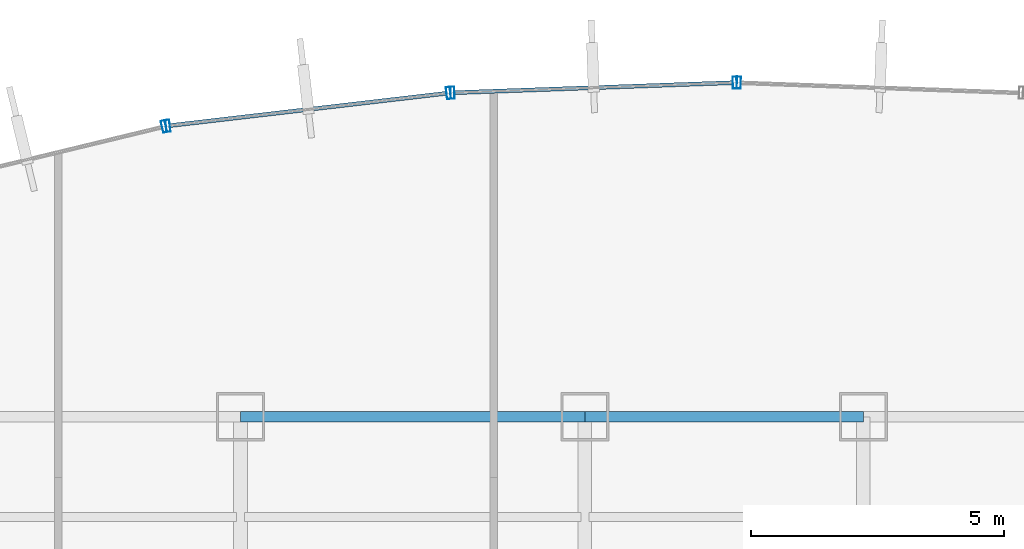
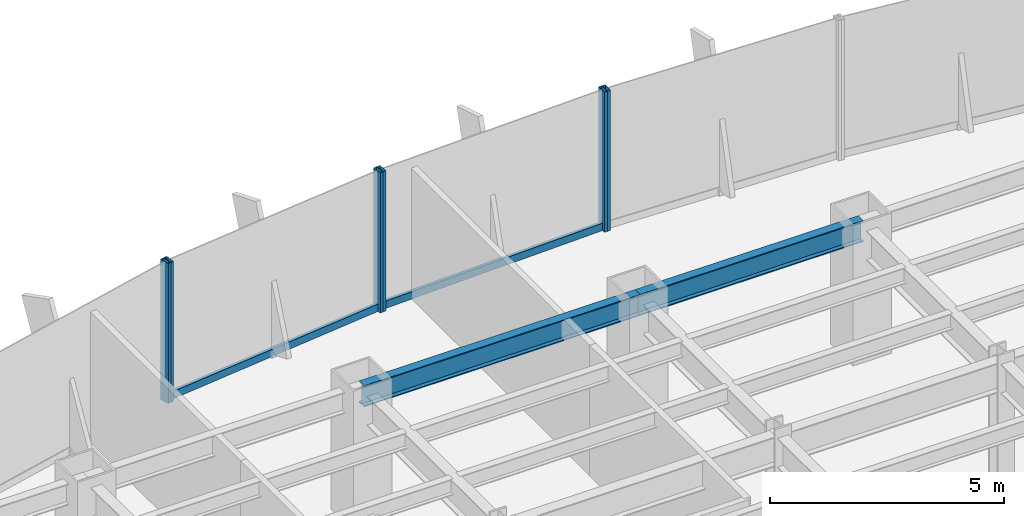
# One storey, part 12 of 22: 8 members, 2 beams, 4 elements without a shape of their own.
"""IFC4 building model written with IfcOpenShell, lengths in metres."""

from ifc_helpers import new_model, si_unit, derived_unit, direction, frame, origin, origin_2d, place, context, subcontext, project, spatial, hollow_rectangle, i_section, extrude, source, transform, mapped, material, material_profile, profile_set, type_object, element, aggregate, save


model = new_model("IFC4")

# Units and contexts
model_context = context("Model", 3, precision=1e-05, world=origin(), true_north=direction((0.0, 1.0)))
body_context = subcontext(model_context, "Body", "Model", "MODEL_VIEW")
ifc_project = project(units=[si_unit("LENGTHUNIT", "METRE"), si_unit("AREAUNIT", "SQUARE_METRE"), si_unit("VOLUMEUNIT", "CUBIC_METRE"), si_unit("PLANEANGLEUNIT", "RADIAN"), si_unit("MASSUNIT", "GRAM", prefix="KILO"), derived_unit("THERMALTRANSMITTANCEUNIT", [(si_unit("POWERUNIT", "WATT"), 1), (si_unit("LENGTHUNIT", "METRE"), -2), (si_unit("THERMODYNAMICTEMPERATUREUNIT", "KELVIN"), -1)])], contexts=[model_context])

# Site, building, storey
site_placement = place(None, origin())
site = spatial("IfcSite", under=ifc_project, at=site_placement, CompositionType="ELEMENT")
building_placement = place(site_placement, origin())
building = spatial("IfcBuilding", under=site, at=building_placement, Name="Skarnbrae Concourse Arena and Tower", CompositionType="ELEMENT")
storey_placement = place(building_placement, frame((0.0, 0.0, 39.800048828125)))
storey = spatial("IfcBuildingStorey", under=building, at=storey_placement, Name="L08", CompositionType="ELEMENT", Elevation=39.800048828125)

# Beams
ifc_material_1 = material(Name="Steel CSA G40.21 350W", Category="steel")
ifc_material_profile_1 = material_profile(ifc_material_1, i_section(OverallWidth=0.214111328125, OverallDepth=0.549072265625, WebThickness=0.0146484375, FlangeThickness=0.023681640625, at=origin_2d()), Name="W530X138")
ifc_profile_set_1 = profile_set([ifc_material_profile_1], Name="Steel CSA G40.21 350W")
beam_type = type_object("IfcBeamType", Name="BM-SPAN-W530X138", PredefinedType="SPANDREL", material=ifc_profile_set_1)
shared_shape_1 = source(origin(), body_context, "Body", "SweptSolid", [
    extrude(i_section(OverallWidth=0.214111328125, OverallDepth=0.549072265625, WebThickness=0.0146484375, FlangeThickness=0.023681640625, at=origin_2d()), origin(), (0.0, 0.0, 1.0), 6.800048828125),
])
beam_1_placement = place(storey_placement, frame((21.199951171875, 40.39990234375, 3.12548828125), z_axis=(1.0, 0.0, 0.0), x_axis=(0.0, 1.0, 0.0)))
element("IfcBeam", 1, at=beam_1_placement, inside=storey, type_object=beam_type, Name="L08 Perimeter spandrel Y40.4-3", PredefinedType="SPANDREL", context=body_context, shape_type="MappedRepresentation", body=[
    mapped(shared_shape_1, transform((0.0, 0.0, 0.0))),
])
shared_shape_2 = source(origin(), body_context, "Body", "SweptSolid", [
    extrude(i_section(OverallWidth=0.214111328125, OverallDepth=0.549072265625, WebThickness=0.0146484375, FlangeThickness=0.023681640625, at=origin_2d()), origin(), (0.0, 0.0, 1.0), 5.5),
])
beam_2_placement = place(storey_placement, frame((28.0, 40.39990234375, 3.12548828125), z_axis=(1.0, 0.0, 0.0), x_axis=(0.0, 1.0, 0.0)))
element("IfcBeam", 2, at=beam_2_placement, inside=storey, type_object=beam_type, Name="L08 Perimeter spandrel Y40.4-4", PredefinedType="SPANDREL", context=body_context, shape_type="MappedRepresentation", body=[
    mapped(shared_shape_2, transform((0.0, 0.0, 0.0))),
])

# Curtain wall, member
ifc_material_2 = material(Name="Bronze anodised aluminium 6063-T6", Category="aluminium")
curtain_wall_type = type_object("IfcCurtainWallType", Name="CW-SYS-02-LOWZONE", PredefinedType="USERDEFINED", material=ifc_material_2)
curtain_wall_1_placement = place(storey_placement, origin())
curtain_wall_1 = element("IfcCurtainWall", 3, at=curtain_wall_1_placement, inside=storey, type_object=curtain_wall_type, Name="L08 Unitised curtain wall CW-L08-E11", ObjectType="UNITISED CURTAIN WALL", PredefinedType="USERDEFINED")
ifc_material_profile_2 = material_profile(ifc_material_2, hollow_rectangle(XDim=0.080078125, YDim=0.239990234375, WallThickness=0.0048828125, at=origin_2d()), Name="ALU-MULL-80X240")
ifc_profile_set_2 = profile_set([ifc_material_profile_2], Name="Bronze anodised aluminium 6063-T6")
member_type_1 = type_object("IfcMemberType", Name="CWM-CW-02", PredefinedType="MULLION", material=ifc_profile_set_2)
shared_shape_3 = source(origin(), body_context, "Body", "SweptSolid", [
    extrude(hollow_rectangle(XDim=0.080078125, YDim=0.239990234375, WallThickness=0.0048828125, at=origin_2d()), origin(), (0.0, 0.0, 1.0), 3.64990234375),
])
member_1_placement = place(storey_placement, frame((31.0400390625, 46.99853515625, 0.0), z_axis=(0.0, 0.0, 1.0), x_axis=(-0.999355425188, 0.035898943527, 0.0)))
member_1 = element("IfcMember", 4, at=member_1_placement, type_object=member_type_1, Name="CW-L08-E11 Mullion 2", PredefinedType="MULLION", context=body_context, shape_type="MappedRepresentation", body=[
    mapped(shared_shape_3, transform((0.0, 0.0, 0.0))),
])
aggregate(curtain_wall_1, [member_1])

# Curtain wall, members
curtain_wall_2_placement = place(storey_placement, origin())
curtain_wall_2 = element("IfcCurtainWall", 5, at=curtain_wall_2_placement, inside=storey, type_object=curtain_wall_type, Name="L08 Unitised curtain wall CW-L08-E12", ObjectType="UNITISED CURTAIN WALL", PredefinedType="USERDEFINED")
member_2_placement = place(storey_placement, frame((30.9599609375, 46.99853515625, 0.0), z_axis=(0.0, 0.0, 1.0), x_axis=(-0.999355425188, -0.035898943527, 0.0)))
member_2 = element("IfcMember", 6, at=member_2_placement, type_object=member_type_1, Name="CW-L08-E12 Mullion 1", PredefinedType="MULLION", context=body_context, shape_type="MappedRepresentation", body=[
    mapped(shared_shape_3, transform((0.0, 0.0, 0.0))),
])
member_3_placement = place(storey_placement, frame((25.385986328125, 46.79833984375, 0.0), z_axis=(0.0, 0.0, 1.0), x_axis=(-0.999355425188, -0.035898943527, 0.0)))
member_3 = element("IfcMember", 7, at=member_3_placement, type_object=member_type_1, Name="CW-L08-E12 Mullion 2", PredefinedType="MULLION", context=body_context, shape_type="MappedRepresentation", body=[
    mapped(shared_shape_3, transform((0.0, 0.0, 0.0))),
])

curtain_wall_3_placement = place(storey_placement, origin())
curtain_wall_3 = element("IfcCurtainWall", 8, at=curtain_wall_3_placement, inside=storey, type_object=curtain_wall_type, Name="L08 Unitised curtain wall CW-L08-E13", ObjectType="UNITISED CURTAIN WALL", PredefinedType="USERDEFINED")
member_4_placement = place(storey_placement, frame((25.306396484375, 46.792236328125, 0.0), z_axis=(0.0, 0.0, 1.0), x_axis=(-0.99324457001, -0.116039752435, 0.0)))
member_4 = element("IfcMember", 9, at=member_4_placement, type_object=member_type_1, Name="CW-L08-E13 Mullion 1", PredefinedType="MULLION", context=body_context, shape_type="MappedRepresentation", body=[
    mapped(shared_shape_3, transform((0.0, 0.0, 0.0))),
])
member_5_placement = place(storey_placement, frame((19.767333984375, 46.14501953125, 0.0), z_axis=(0.0, 0.0, 1.0), x_axis=(-0.99324457001, -0.116039752435, 0.0)))
member_5 = element("IfcMember", 10, at=member_5_placement, type_object=member_type_1, Name="CW-L08-E13 Mullion 2", PredefinedType="MULLION", context=body_context, shape_type="MappedRepresentation", body=[
    mapped(shared_shape_3, transform((0.0, 0.0, 0.0))),
])

# Curtain wall, member
curtain_wall_4_placement = place(storey_placement, origin())
curtain_wall_4 = element("IfcCurtainWall", 11, at=curtain_wall_4_placement, inside=storey, type_object=curtain_wall_type, Name="L08 Unitised curtain wall CW-L08-E14", ObjectType="UNITISED CURTAIN WALL", PredefinedType="USERDEFINED")
member_6_placement = place(storey_placement, frame((19.688720703125, 46.131103515625, 0.0), z_axis=(0.0, 0.0, 1.0), x_axis=(-0.971973721569, -0.235089524607, 0.0)))
member_6 = element("IfcMember", 12, at=member_6_placement, type_object=member_type_1, Name="CW-L08-E14 Mullion 1", PredefinedType="MULLION", context=body_context, shape_type="MappedRepresentation", body=[
    mapped(shared_shape_3, transform((0.0, 0.0, 0.0))),
])
aggregate(curtain_wall_4, [member_6])

# Member
ifc_material_profile_3 = material_profile(ifc_material_2, hollow_rectangle(XDim=0.080078125, YDim=0.18994140625, WallThickness=0.0048828125, at=origin_2d()), Name="ALU-TRAN-80X190")
ifc_profile_set_3 = profile_set([ifc_material_profile_3], Name="Bronze anodised aluminium 6063-T6")
member_type_2 = type_object("IfcMemberType", Name="CWT-CW-02", PredefinedType="USERDEFINED", material=ifc_profile_set_3)
shared_shape_4 = source(origin(), body_context, "Body", "SweptSolid", [
    extrude(hollow_rectangle(XDim=0.080078125, YDim=0.18994140625, WallThickness=0.0048828125, at=origin_2d()), origin(), (0.0, 0.0, 1.0), 5.49658203125),
])
member_7_placement = place(storey_placement, frame((25.2666015625, 46.78759765625, 0.094970703125), z_axis=(-0.993247281455, -0.116016541417, 0.0), x_axis=(0.116016541417, -0.993247281455, 0.0)))
member_7 = element("IfcMember", 13, at=member_7_placement, type_object=member_type_2, Name="CW-L08-E13 Transom 1", ObjectType="TRANSOM", PredefinedType="USERDEFINED", context=body_context, shape_type="MappedRepresentation", body=[
    mapped(shared_shape_4, transform((0.0, 0.0, 0.0))),
])

aggregate(curtain_wall_3, [member_4, member_5, member_7])

shared_shape_5 = source(origin(), body_context, "Body", "SweptSolid", [
    extrude(hollow_rectangle(XDim=0.080078125, YDim=0.18994140625, WallThickness=0.0048828125, at=origin_2d()), origin(), (0.0, 0.0, 1.0), 5.497802734375),
])
member_8_placement = place(storey_placement, frame((30.920166015625, 46.9970703125, 0.094970703125), z_axis=(-0.999356047798, -0.03588160712, 0.0), x_axis=(0.03588160712, -0.999356047798, 0.0)))
member_8 = element("IfcMember", 14, at=member_8_placement, type_object=member_type_2, Name="CW-L08-E12 Transom 1", ObjectType="TRANSOM", PredefinedType="USERDEFINED", context=body_context, shape_type="MappedRepresentation", body=[
    mapped(shared_shape_5, transform((0.0, 0.0, 0.0))),
])

aggregate(curtain_wall_2, [member_2, member_3, member_8])

save(model, "model.ifc")
